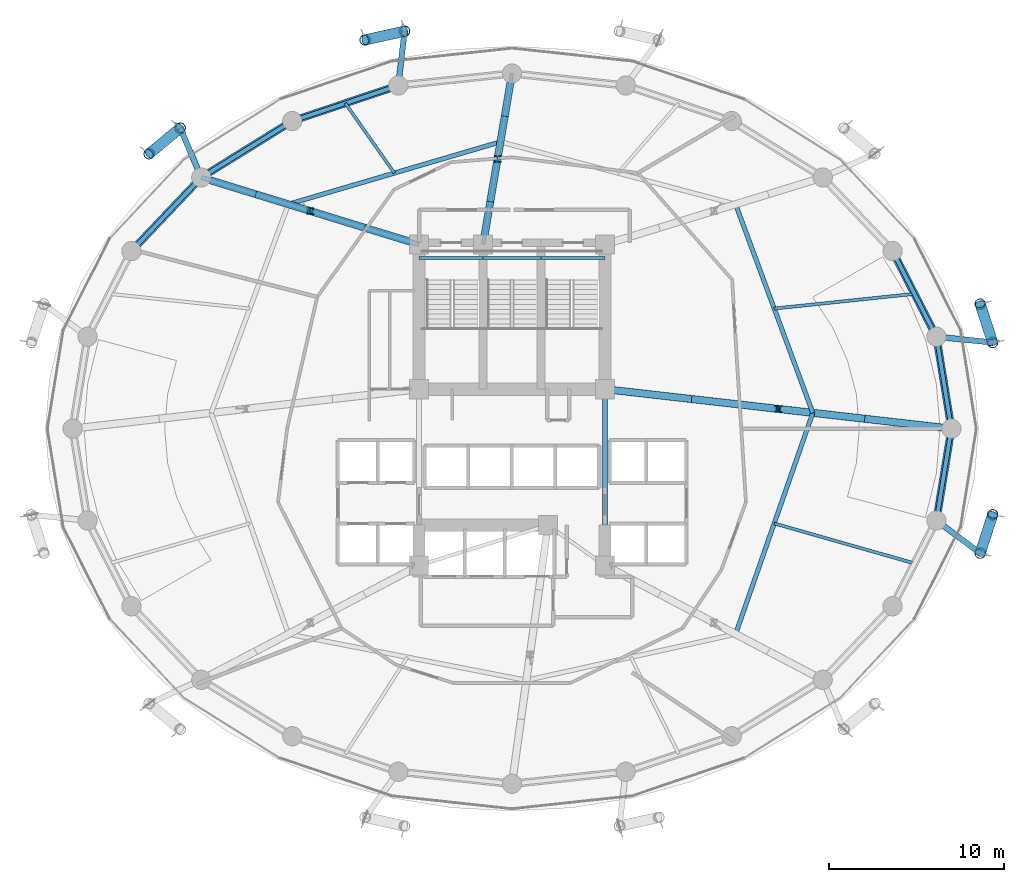
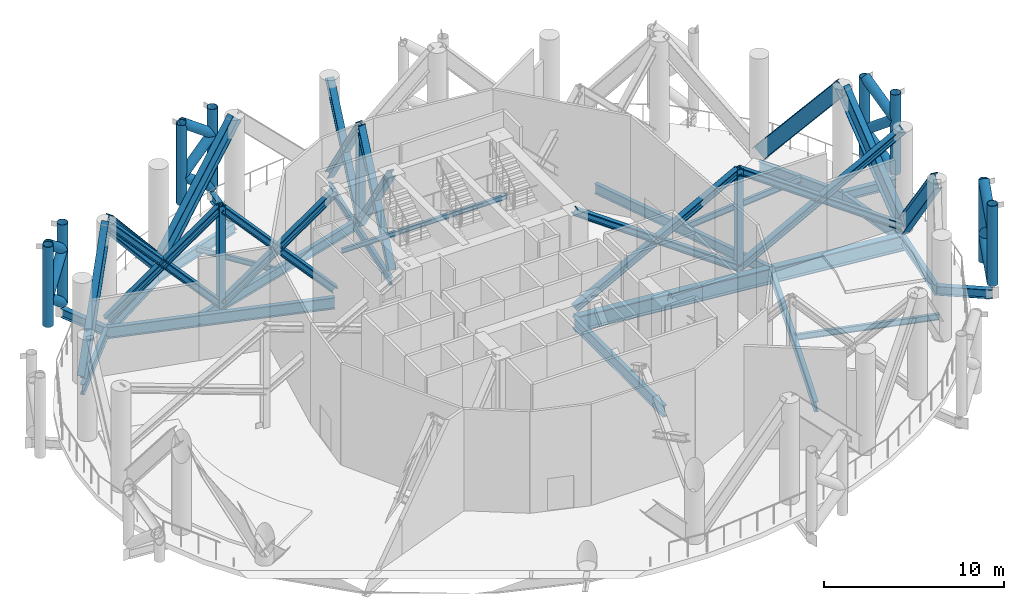
# One storey, part 3 of 19: 41 members, 23 beams.
"""IFC4 building model written with IfcOpenShell, lengths in metres."""

import ifcopenshell
import ifcopenshell.guid

model = None  # the IFC model being written
_history = None  # IfcOwnerHistory: only IFC2X3 demands one
_inside = {}  # id of a spatial element -> (the spatial element, [elements in it])
_under = {}  # id of a project, library or spatial element -> (it, [spatial elements below it])
_declared = {}  # id of a project -> (the project, [libraries it declares])
_typed = {}  # id of a type object -> (the type object, [elements of that type])
_made_of = {}  # id of a material, layer set ... -> (it, [elements and type objects made of it])


def new_model(schema):
    """Start an empty IFC model of exactly this schema.

    Asked for "IFC4X3", IfcOpenShell would pick the latest addendum, in which some entities
    have other attributes; the version numbers below select the first issue.
    IFC2X3 requires an IfcOwnerHistory on every rooted entity: one is made here for all.
    """
    global model, _history
    if schema == "IFC4X3":
        model = ifcopenshell.file(schema_version=(4, 3, 0, 0))
    else:
        model = ifcopenshell.file(schema=schema)
    _inside.clear()
    _under.clear()
    _declared.clear()
    _typed.clear()
    _made_of.clear()
    _history = None
    if model.schema == "IFC2X3":
        org = make("IfcOrganization", Name="unknown")
        user = make(
            "IfcPersonAndOrganization",
            ThePerson=make("IfcPerson", FamilyName="unknown"),
            TheOrganization=org,
        )
        app = make(
            "IfcApplication",
            ApplicationDeveloper=org,
            Version="unknown",
            ApplicationFullName="unknown",
            ApplicationIdentifier="unknown",
        )
        _history = make(
            "IfcOwnerHistory",
            OwningUser=user,
            OwningApplication=app,
            ChangeAction="ADDED",
            CreationDate=0,
        )
    return model


def make(cls, **values):
    """One entity of the class cls with the attributes given. An attribute that is None is left unset."""
    return model.create_entity(
        cls, **{name: value for name, value in values.items() if value is not None}
    )


def rooted(cls, **values):
    """An entity with a GlobalId (a new one), such as an element, a storey or a relation."""
    return make(cls, GlobalId=ifcopenshell.guid.new(), OwnerHistory=_history, **values)


def si_unit(unit_type, name, prefix=None):
    """IfcSIUnit, for example si_unit("LENGTHUNIT", "METRE", prefix="MILLI")."""
    return make("IfcSIUnit", UnitType=unit_type, Prefix=prefix, Name=name)


def assignment(units):
    """IfcUnitAssignment: the units of a project."""
    return None if units is None else make("IfcUnitAssignment", Units=units)


def point(xyz):
    """IfcCartesianPoint."""
    return None if xyz is None else make("IfcCartesianPoint", Coordinates=xyz)


def direction(xyz):
    """IfcDirection."""
    return None if xyz is None else make("IfcDirection", DirectionRatios=xyz)


def frame(location, z_axis=None, x_axis=None):
    """IfcAxis2Placement3D, a coordinate frame: its origin and axes. An axis left out is left unset."""
    return make(
        "IfcAxis2Placement3D",
        Location=point(location),
        Axis=direction(z_axis),
        RefDirection=direction(x_axis),
    )


def frame_2d(location, x_axis=None):
    """IfcAxis2Placement2D, a coordinate frame in the plane: its origin and x axis."""
    return make(
        "IfcAxis2Placement2D", Location=point(location), RefDirection=direction(x_axis)
    )


def origin():
    """The frame at (0, 0, 0) with its axes left unset."""
    return frame((0.0, 0.0, 0.0))


def origin_2d():
    """The frame at (0, 0) in the plane with its x axis left unset."""
    return frame_2d((0.0, 0.0))


def place(relative_to, where):
    """IfcLocalPlacement: puts the frame where relative to a parent placement (None: the world)."""
    return make(
        "IfcLocalPlacement", PlacementRelTo=relative_to, RelativePlacement=where
    )


def context(
    kind, dimensions, precision=None, world=None, true_north=None, identifier=None
):
    """IfcGeometricRepresentationContext, for example the 3D "Model" context."""
    return make(
        "IfcGeometricRepresentationContext",
        ContextIdentifier=identifier,
        ContextType=kind,
        CoordinateSpaceDimension=dimensions,
        Precision=precision,
        WorldCoordinateSystem=world,
        TrueNorth=true_north,
    )


def subcontext(parent, identifier, kind, view, scale=None):
    """IfcGeometricRepresentationSubContext, for example "Body" below "Model"."""
    return make(
        "IfcGeometricRepresentationSubContext",
        ContextIdentifier=identifier,
        ContextType=kind,
        ParentContext=parent,
        TargetScale=scale,
        TargetView=view,
    )


def project(units=None, contexts=None):
    """IfcProject with its units and contexts."""
    return rooted(
        "IfcProject",
        Name="project",
        RepresentationContexts=contexts,
        UnitsInContext=assignment(units),
    )


def spatial(cls, under=None, at=None, **own):
    """A site, building, storey or space (cls), placed at a placement, below another one or the project."""
    s = rooted(cls, ObjectPlacement=at, **own)
    if under is not None:
        _under.setdefault(under.id(), (under, []))[1].append(s)
    return s


def profile(cls, at=None, kind="AREA", **sizes):
    """A parametric profile (cls). Its sizes go by their IFC names, for example OverallWidth=200.0."""
    return make(cls, ProfileType=kind, Position=at, **sizes)


def hollow_circle(**sizes):
    """IfcCircleHollowProfileDef."""
    return profile("IfcCircleHollowProfileDef", **sizes)


def i_section(**sizes):
    """IfcIShapeProfileDef."""
    return profile("IfcIShapeProfileDef", **sizes)


def extrude(swept, where, along, depth):
    """IfcExtrudedAreaSolid: the profile swept, set in the frame where, extruded along a direction by depth."""
    return make(
        "IfcExtrudedAreaSolid",
        SweptArea=swept,
        Position=where,
        ExtrudedDirection=direction(along),
        Depth=depth,
    )


def shape(context_of_items, identifier, shape_type, items):
    """IfcShapeRepresentation: the items that make up one representation, for example the "Body"."""
    return make(
        "IfcShapeRepresentation",
        ContextOfItems=context_of_items,
        RepresentationIdentifier=identifier,
        RepresentationType=shape_type,
        Items=items,
    )


def material(Name=None, Category=None):
    """IfcMaterial."""
    return make("IfcMaterial", Name=Name, Category=Category)


def material_profile(
    of_material, cross_section, Name=None, Category=None, Priority=None
):
    """IfcMaterialProfile: a cross section and its material."""
    return make(
        "IfcMaterialProfile",
        Name=Name,
        Material=of_material,
        Profile=cross_section,
        Priority=Priority,
        Category=Category,
    )


def profile_set(profiles, Name=None, composite=None):
    """IfcMaterialProfileSet."""
    return make(
        "IfcMaterialProfileSet",
        Name=Name,
        MaterialProfiles=profiles,
        CompositeProfile=composite,
    )


def made_of(thing, what):
    """Note that an element or type object is made of a material, layer set ...; save() writes the relation."""
    if what is not None:
        _made_of.setdefault(what.id(), (what, []))[1].append(thing)
    return thing


def type_object(cls, material=None, **own):
    """A type object (cls), such as IfcWallType, which elements share."""
    return made_of(rooted(cls, **own), material)


def element(
    cls,
    number,
    at=None,
    inside=None,
    cuts=None,
    type_object=None,
    material=None,
    context=None,
    identifier="Body",
    shape_type=None,
    held_by="IfcProductDefinitionShape",
    body=None,
    shapes=None,
    **own,
):
    """One element of the class cls, such as IfcWall. Its Tag is "e" and its number.

    at: its placement. inside: the storey or other place that contains it. cuts: it is an
    opening in that element (IfcRelVoidsElement). A single representation is given by context,
    identifier, shape_type and body (its items); several are given by shapes. held_by: the class
    of the entity that holds the representations. save() writes the other relations.
    """
    e = rooted(cls, Tag="e%d" % number, ObjectPlacement=at, **own)
    if body is not None:
        shapes = [shape(context, identifier, shape_type, body)]
    if shapes is not None:
        e.Representation = make(held_by, Representations=shapes)
    if inside is not None:
        _inside.setdefault(inside.id(), (inside, []))[1].append(e)
    if cuts is not None:
        rooted(
            "IfcRelVoidsElement", RelatingBuildingElement=cuts, RelatedOpeningElement=e
        )
    if type_object is not None:
        _typed.setdefault(type_object.id(), (type_object, []))[1].append(e)
    return made_of(e, material)


def aggregate(whole, parts):
    """IfcRelAggregates: a whole, such as a stair, and the parts it consists of."""
    return rooted("IfcRelAggregates", RelatingObject=whole, RelatedObjects=parts)


def save(model, path):
    """Write the relations noted so far, then the file.

    IfcRelAggregates (storeys below a building ...), IfcRelContainedInSpatialStructure (elements
    in a storey), IfcRelDefinesByType, IfcRelAssociatesMaterial and IfcRelDeclares: one each for
    every whole, place, type object, material and project.
    """
    for whole, parts in _under.values():
        aggregate(whole, parts)
    for where, things in _inside.values():
        rooted(
            "IfcRelContainedInSpatialStructure",
            RelatedElements=things,
            RelatingStructure=where,
        )
    for kind, things in _typed.values():
        rooted("IfcRelDefinesByType", RelatedObjects=things, RelatingType=kind)
    for what, things in _made_of.values():
        rooted("IfcRelAssociatesMaterial", RelatedObjects=things, RelatingMaterial=what)
    for by, libraries in _declared.values():
        rooted("IfcRelDeclares", RelatingContext=by, RelatedDefinitions=libraries)
    model.write(path)


model = new_model("IFC4")

# Units and contexts
model_context = context("Model", 3, precision=1e-05, world=origin(), true_north=direction((0.0, 1.0)))
body_context = subcontext(model_context, "Body", "Model", "MODEL_VIEW")
ifc_project = project(units=[si_unit("LENGTHUNIT", "METRE"), si_unit("AREAUNIT", "SQUARE_METRE"), si_unit("VOLUMEUNIT", "CUBIC_METRE"), si_unit("PLANEANGLEUNIT", "RADIAN"), si_unit("MASSUNIT", "GRAM", prefix="KILO")], contexts=[model_context])

# Site, building, storey
site_placement = place(None, origin())
site = spatial("IfcSite", under=ifc_project, at=site_placement, CompositionType="ELEMENT")
building_placement = place(site_placement, origin())
building = spatial("IfcBuilding", under=site, at=building_placement, Name="Nuhasar Tower", CompositionType="ELEMENT")
storey_placement = place(building_placement, frame((0.0, 0.0, 106.050048828125)))
storey = spatial("IfcBuildingStorey", under=building, at=storey_placement, Name="L25", CompositionType="ELEMENT", Elevation=106.050048828125)

# Members
ifc_material_1 = material(Name="Steel S460", Category="steel")
ifc_material_profile_1 = material_profile(ifc_material_1, i_section(OverallWidth=0.419921875, OverallDepth=0.931884765625, WebThickness=0.021240234375, FlangeThickness=0.03662109375, at=origin_2d()), Name="W36X262")
ifc_profile_set_1 = profile_set([ifc_material_profile_1], Name="Steel S460")
member_type_1 = type_object("IfcMemberType", Name="BLT-DIAG-W36A", PredefinedType="CHORD", material=ifc_profile_set_1)
member_1_placement = place(storey_placement, frame((64.050048828125, 26.800048828125, 0.14990234375), z_axis=(-0.101000515372, 0.619833637362, 0.778206372301), x_axis=(-0.986982671235, -0.160826635486, 0.0)))
element("IfcMember", 1, at=member_1_placement, inside=storey, type_object=member_type_1, Name="L25 Belt Truss Diagonal 01", PredefinedType="CHORD", context=body_context, shape_type="SweptSolid", body=[
    extrude(i_section(OverallWidth=0.419921875, OverallDepth=0.931884765625, WebThickness=0.021240234375, FlangeThickness=0.03662109375, at=origin_2d()), origin(), (0.0, 0.0, 1.0), 8.455322265625),
])
member_2_placement = place(storey_placement, frame((60.694091796875, 36.925048828125, 0.14990234375), z_axis=(0.292010631919, -0.570030512444, 0.767981123289), x_axis=(0.890015625314, 0.455930023905, 0.0)))
element("IfcMember", 2, at=member_2_placement, inside=storey, type_object=member_type_1, Name="L25 Belt Truss Diagonal 02", PredefinedType="CHORD", context=body_context, shape_type="SweptSolid", body=[
    extrude(i_section(OverallWidth=0.419921875, OverallDepth=0.931884765625, WebThickness=0.021240234375, FlangeThickness=0.03662109375, at=origin_2d()), origin(), (0.0, 0.0, 1.0), 8.568115234375),
])
member_3_placement = place(storey_placement, frame((26.47509765625, 44.3369140625, 0.14990234375), z_axis=(0.659642263156, 0.220884735525, 0.718388487012), x_axis=(-0.317526388949, 0.948249435708, 0.0)))
element("IfcMember", 3, at=member_3_placement, inside=storey, type_object=member_type_1, Name="L25 Belt Truss Diagonal 08", PredefinedType="CHORD", context=body_context, shape_type="SweptSolid", body=[
    extrude(i_section(OverallWidth=0.419921875, OverallDepth=0.931884765625, WebThickness=0.021240234375, FlangeThickness=0.03662109375, at=origin_2d()), origin(), (0.0, 0.0, 1.0), 9.159423828125),
])
member_4_placement = place(storey_placement, frame((26.47509765625, 44.3369140625, 0.14990234375), z_axis=(-0.5779854684, -0.358514186305, 0.733075969144), x_axis=(0.527112976439, -0.849795216549, 0.0)))
element("IfcMember", 4, at=member_4_placement, inside=storey, type_object=member_type_1, Name="L25 Belt Truss Diagonal 09", PredefinedType="CHORD", context=body_context, shape_type="SweptSolid", body=[
    extrude(i_section(OverallWidth=0.419921875, OverallDepth=0.931884765625, WebThickness=0.021240234375, FlangeThickness=0.03662109375, at=origin_2d()), origin(), (0.0, 0.0, 1.0), 8.97607421875),
])
member_5_placement = place(storey_placement, frame((17.305908203125, 36.925048828125, 0.14990234375), z_axis=(0.454480500757, 0.478755506347, 0.751159530043), x_axis=(-0.725254478976, 0.688480893507, 0.0)))
element("IfcMember", 5, at=member_5_placement, inside=storey, type_object=member_type_1, Name="L25 Belt Truss Diagonal 10", PredefinedType="CHORD", context=body_context, shape_type="SweptSolid", body=[
    extrude(i_section(OverallWidth=0.419921875, OverallDepth=0.931884765625, WebThickness=0.021240234375, FlangeThickness=0.03662109375, at=origin_2d()), origin(), (0.0, 0.0, 1.0), 8.760009765625),
])
member_6_placement = place(storey_placement, frame((64.050048828125, 26.800048828125, 0.14990234375), z_axis=(-0.101000515372, -0.619833637362, 0.778206372301), x_axis=(0.986982671235, -0.160826635486, 0.0)))
element("IfcMember", 6, at=member_6_placement, inside=storey, type_object=member_type_1, Name="L25 Belt Truss Diagonal 24", PredefinedType="CHORD", context=body_context, shape_type="SweptSolid", body=[
    extrude(i_section(OverallWidth=0.419921875, OverallDepth=0.931884765625, WebThickness=0.021240234375, FlangeThickness=0.03662109375, at=origin_2d()), origin(), (0.0, 0.0, 1.0), 8.455322265625),
])

# Beams
ifc_material_2 = material(Name="Steel S355", Category="steel")
ifc_material_profile_2 = material_profile(ifc_material_2, i_section(OverallWidth=0.25390625, OverallDepth=0.68408203125, WebThickness=0.012451171875, FlangeThickness=0.018798828125, at=origin_2d()), Name="W27X94")
ifc_profile_set_2 = profile_set([ifc_material_profile_2], Name="Steel S355")
beam_type_1 = type_object("IfcBeamType", Name="BM-INRING-W27X94", PredefinedType="BEAM", material=ifc_profile_set_2)
beam_1_placement = place(storey_placement, frame((51.748046875, 15.089111328125, -0.692138671875), z_axis=(0.329554049858, 0.944136710558, 0.0), x_axis=(-0.944136710558, 0.329554049858, 0.0)))
element("IfcBeam", 7, at=beam_1_placement, inside=storey, type_object=beam_type_1, Name="L25 Inner Header Beam 03", PredefinedType="BEAM", context=body_context, shape_type="SweptSolid", body=[
    extrude(i_section(OverallWidth=0.25390625, OverallDepth=0.68408203125, WebThickness=0.012451171875, FlangeThickness=0.018798828125, at=origin_2d()), origin(), (0.0, 0.0, 1.0), 13.35693359375),
])
beam_2_placement = place(storey_placement, frame((56.14990234375, 27.699951171875, -0.692138671875), z_axis=(-0.34715757476, 0.937806812881, 0.0), x_axis=(-0.937806812881, -0.34715757476, 0.0)))
element("IfcBeam", 8, at=beam_2_placement, inside=storey, type_object=beam_type_1, Name="L25 Inner Header Beam 04", PredefinedType="BEAM", context=body_context, shape_type="SweptSolid", body=[
    extrude(i_section(OverallWidth=0.25390625, OverallDepth=0.68408203125, WebThickness=0.012451171875, FlangeThickness=0.018798828125, at=origin_2d()), origin(), (0.0, 0.0, 1.0), 12.6796875),
])
beam_3_placement = place(storey_placement, frame((38.340087890625, 43.14990234375, -0.692138671875), z_axis=(-0.959290190666, -0.28242225495, 0.0), x_axis=(0.28242225495, -0.959290190666, 0.0)))
element("IfcBeam", 9, at=beam_3_placement, inside=storey, type_object=beam_type_1, Name="L25 Inner Header Beam 06", PredefinedType="BEAM", context=body_context, shape_type="SweptSolid", body=[
    extrude(i_section(OverallWidth=0.25390625, OverallDepth=0.68408203125, WebThickness=0.012451171875, FlangeThickness=0.018798828125, at=origin_2d()), origin(), (0.0, 0.0, 1.0), 12.60107421875),
])
ifc_material_profile_3 = material_profile(ifc_material_2, i_section(OverallWidth=0.1708984375, OverallDepth=0.35205078125, WebThickness=0.0068359375, FlangeThickness=0.009765625, at=origin_2d()), Name="W14X30")
ifc_profile_set_3 = profile_set([ifc_material_profile_3], Name="Steel S355")
beam_type_2 = type_object("IfcBeamType", Name="BM-JST-W14X30", PredefinedType="JOIST", material=ifc_profile_set_3)
beam_4_placement = place(storey_placement, frame((32.2958984375, 41.3701171875, -0.526123046875), z_axis=(-0.575461088141, 0.817829160666, 0.0), x_axis=(-0.817829160666, -0.575461088141, 0.0)))
element("IfcBeam", 10, at=beam_4_placement, inside=storey, type_object=beam_type_2, Name="L25 Secondary Floor Joist 06", PredefinedType="JOIST", context=body_context, shape_type="SweptSolid", body=[
    extrude(i_section(OverallWidth=0.1708984375, OverallDepth=0.35205078125, WebThickness=0.0068359375, FlangeThickness=0.009765625, at=origin_2d()), origin(), (0.0, 0.0, 1.0), 4.865234375),
])
ifc_material_profile_4 = material_profile(ifc_material_2, i_section(OverallWidth=0.177978515625, OverallDepth=0.406005859375, WebThickness=0.0078125, FlangeThickness=0.0126953125, at=origin_2d()), Name="W16X40")
ifc_profile_set_4 = profile_set([ifc_material_profile_4], Name="Steel S355")
beam_type_3 = type_object("IfcBeamType", Name="BM-JST-W16X40", PredefinedType="JOIST", material=ifc_profile_set_4)
beam_5_placement = place(storey_placement, frame((53.948974609375, 21.39501953125, -0.552978515625), z_axis=(0.961730884496, -0.273995813484, 0.0), x_axis=(0.273995813484, 0.961730884496, 0.0)))
element("IfcBeam", 11, at=beam_5_placement, inside=storey, type_object=beam_type_3, Name="L25 Secondary Floor Joist 03", PredefinedType="JOIST", context=body_context, shape_type="SweptSolid", body=[
    extrude(i_section(OverallWidth=0.177978515625, OverallDepth=0.406005859375, WebThickness=0.0078125, FlangeThickness=0.0126953125, at=origin_2d()), origin(), (0.0, 0.0, 1.0), 8.314208984375),
])
beam_6_placement = place(storey_placement, frame((53.948974609375, 33.64501953125, -0.552978515625), z_axis=(0.994554594377, 0.104216883485, 0.0), x_axis=(-0.104216883485, 0.994554594377, 0.0)))
element("IfcBeam", 12, at=beam_6_placement, inside=storey, type_object=beam_type_3, Name="L25 Secondary Floor Joist 04", PredefinedType="JOIST", context=body_context, shape_type="SweptSolid", body=[
    extrude(i_section(OverallWidth=0.177978515625, OverallDepth=0.406005859375, WebThickness=0.0078125, FlangeThickness=0.0126953125, at=origin_2d()), origin(), (0.0, 0.0, 1.0), 8.039794921875),
])
ifc_material_profile_5 = material_profile(ifc_material_2, i_section(OverallWidth=0.1650390625, OverallDepth=0.31005859375, WebThickness=0.005859375, FlangeThickness=0.009765625, at=origin_2d()), Name="W12X26")
ifc_profile_set_5 = profile_set([ifc_material_profile_5], Name="Steel S355")
beam_type_4 = type_object("IfcBeamType", Name="BM-LNT-W12X26", PredefinedType="LINTEL", material=ifc_profile_set_5)
beam_7_placement = place(storey_placement, frame((33.699951171875, 36.530029296875, 3.204833984375), z_axis=(1.0, 0.0, 0.0), x_axis=(0.0, 1.0, 0.0)))
element("IfcBeam", 13, at=beam_7_placement, inside=storey, type_object=beam_type_4, Name="L25 Stair ST-01 Mid-Landing Trimmer Beam 1", PredefinedType="LINTEL", context=body_context, shape_type="SweptSolid", body=[
    extrude(i_section(OverallWidth=0.1650390625, OverallDepth=0.31005859375, WebThickness=0.005859375, FlangeThickness=0.009765625, at=origin_2d()), origin(), (0.0, 0.0, 1.0), 3.650146484375),
])
beam_8_placement = place(storey_placement, frame((37.35009765625, 36.530029296875, 3.204833984375), z_axis=(1.0, 0.0, 0.0), x_axis=(0.0, 1.0, 0.0)))
element("IfcBeam", 14, at=beam_8_placement, inside=storey, type_object=beam_type_4, Name="L25 Stair ST-03 Mid-Landing Trimmer Beam 1", PredefinedType="LINTEL", context=body_context, shape_type="SweptSolid", body=[
    extrude(i_section(OverallWidth=0.1650390625, OverallDepth=0.31005859375, WebThickness=0.005859375, FlangeThickness=0.009765625, at=origin_2d()), origin(), (0.0, 0.0, 1.0), 3.2998046875),
])
beam_9_placement = place(storey_placement, frame((40.64990234375, 36.530029296875, 3.204833984375), z_axis=(1.0, 0.0, 0.0), x_axis=(0.0, 1.0, 0.0)))
element("IfcBeam", 15, at=beam_9_placement, inside=storey, type_object=beam_type_4, Name="L25 Stair ST-02 Mid-Landing Trimmer Beam 1", PredefinedType="LINTEL", context=body_context, shape_type="SweptSolid", body=[
    extrude(i_section(OverallWidth=0.1650390625, OverallDepth=0.31005859375, WebThickness=0.005859375, FlangeThickness=0.009765625, at=origin_2d()), origin(), (0.0, 0.0, 1.0), 3.650146484375),
])
ifc_material_profile_6 = material_profile(ifc_material_2, i_section(OverallWidth=0.208984375, OverallDepth=0.532958984375, WebThickness=0.01025390625, FlangeThickness=0.015625, at=origin_2d()), Name="W21X62")
ifc_profile_set_6 = profile_set([ifc_material_profile_6], Name="Steel S355")
beam_type_5 = type_object("IfcBeamType", Name="BM-RAD-W21X62", PredefinedType="BEAM", material=ifc_profile_set_6)
beam_10_placement = place(storey_placement, frame((37.35009765625, 37.300048828125, -0.615966796875), z_axis=(0.166848703013, 0.98598251014, 0.0), x_axis=(-0.98598251014, 0.166848703013, 0.0)))
element("IfcBeam", 16, at=beam_10_placement, inside=storey, type_object=beam_type_5, Name="L25 Radial Floor Girder 06", PredefinedType="BEAM", context=body_context, shape_type="SweptSolid", body=[
    extrude(i_section(OverallWidth=0.208984375, OverallDepth=0.532958984375, WebThickness=0.01025390625, FlangeThickness=0.015625, at=origin_2d()), origin(), (0.0, 0.0, 1.0), 9.888671875),
])
ifc_material_profile_7 = material_profile(ifc_material_2, i_section(OverallWidth=0.26611328125, OverallDepth=0.779052734375, WebThickness=0.0166015625, FlangeThickness=0.030029296875, at=origin_2d()), Name="W30X148")
ifc_profile_set_7 = profile_set([ifc_material_profile_7], Name="Steel S355")
beam_type_6 = type_object("IfcBeamType", Name="BM-RAD-W30X148", PredefinedType="BEAM", material=ifc_profile_set_7)
beam_11_placement = place(storey_placement, frame((44.300048828125, 19.0, -0.739013671875), z_axis=(0.0, 1.0, 0.0), x_axis=(-1.0, 0.0, 0.0)))
element("IfcBeam", 17, at=beam_11_placement, inside=storey, type_object=beam_type_6, Name="L25 Core Ring Girder 3", PredefinedType="BEAM", context=body_context, shape_type="SweptSolid", body=[
    extrude(i_section(OverallWidth=0.26611328125, OverallDepth=0.779052734375, WebThickness=0.0166015625, FlangeThickness=0.030029296875, at=origin_2d()), origin(), (0.0, 0.0, 1.0), 10.050048828125),
])
beam_12_placement = place(storey_placement, frame((33.699951171875, 37.300048828125, -0.739013671875), z_axis=(-0.955789576103, 0.294051502653, 0.0), x_axis=(-0.294051502653, -0.955789576103, 0.0)))
element("IfcBeam", 18, at=beam_12_placement, inside=storey, type_object=beam_type_6, Name="L25 Radial Floor Girder 07", PredefinedType="BEAM", context=body_context, shape_type="SweptSolid", body=[
    extrude(i_section(OverallWidth=0.26611328125, OverallDepth=0.779052734375, WebThickness=0.0166015625, FlangeThickness=0.030029296875, at=origin_2d()), origin(), (0.0, 0.0, 1.0), 12.987060546875),
])
ifc_material_profile_8 = material_profile(ifc_material_2, i_section(OverallWidth=0.256103515625, OverallDepth=0.693115234375, WebThickness=0.014404296875, FlangeThickness=0.023681640625, at=origin_2d()), Name="W27X114")
ifc_profile_set_8 = profile_set([ifc_material_profile_8], Name="Steel S355")
beam_type_7 = type_object("IfcBeamType", Name="BM-RING-W27X114", PredefinedType="SPANDREL", material=ifc_profile_set_8)
beam_13_placement = place(storey_placement, frame((64.050048828125, 26.800048828125, -0.697021484375), z_axis=(-0.160826635486, 0.986982671235, 0.0), x_axis=(-0.986982671235, -0.160826635486, 0.0)))
element("IfcBeam", 19, at=beam_13_placement, inside=storey, type_object=beam_type_7, Name="L25 Perimeter Ring Spandrel 01", PredefinedType="SPANDREL", context=body_context, shape_type="SweptSolid", body=[
    extrude(i_section(OverallWidth=0.256103515625, OverallDepth=0.693115234375, WebThickness=0.014404296875, FlangeThickness=0.023681640625, at=origin_2d()), origin(), (0.0, 0.0, 1.0), 5.31005859375),
])
beam_14_placement = place(storey_placement, frame((63.196044921875, 32.041015625, -0.697021484375), z_axis=(-0.455930023905, 0.890015625314, 0.0), x_axis=(-0.890015625314, -0.455930023905, 0.0)))
element("IfcBeam", 20, at=beam_14_placement, inside=storey, type_object=beam_type_7, Name="L25 Perimeter Ring Spandrel 02", PredefinedType="SPANDREL", context=body_context, shape_type="SweptSolid", body=[
    extrude(i_section(OverallWidth=0.256103515625, OverallDepth=0.693115234375, WebThickness=0.014404296875, FlangeThickness=0.023681640625, at=origin_2d()), origin(), (0.0, 0.0, 1.0), 5.487548828125),
])
beam_15_placement = place(storey_placement, frame((32.51708984375, 46.360107421875, -0.697021484375), z_axis=(-0.948249435708, -0.317526388949, 0.0), x_axis=(0.317526388949, -0.948249435708, 0.0)))
element("IfcBeam", 21, at=beam_15_placement, inside=storey, type_object=beam_type_7, Name="L25 Perimeter Ring Spandrel 08", PredefinedType="SPANDREL", context=body_context, shape_type="SweptSolid", body=[
    extrude(i_section(OverallWidth=0.256103515625, OverallDepth=0.693115234375, WebThickness=0.014404296875, FlangeThickness=0.023681640625, at=origin_2d()), origin(), (0.0, 0.0, 1.0), 6.371826171875),
])
beam_16_placement = place(storey_placement, frame((26.47509765625, 44.3369140625, -0.697021484375), z_axis=(-0.849795216549, -0.527112976439, 0.0), x_axis=(0.527112976439, -0.849795216549, 0.0)))
element("IfcBeam", 22, at=beam_16_placement, inside=storey, type_object=beam_type_7, Name="L25 Perimeter Ring Spandrel 09", PredefinedType="SPANDREL", context=body_context, shape_type="SweptSolid", body=[
    extrude(i_section(OverallWidth=0.256103515625, OverallDepth=0.693115234375, WebThickness=0.014404296875, FlangeThickness=0.023681640625, at=origin_2d()), origin(), (0.0, 0.0, 1.0), 6.10498046875),
])
beam_17_placement = place(storey_placement, frame((21.287109375, 41.118896484375, -0.697021484375), z_axis=(-0.688480893507, -0.725254478976, 0.0), x_axis=(0.725254478976, -0.688480893507, 0.0)))
element("IfcBeam", 23, at=beam_17_placement, inside=storey, type_object=beam_type_7, Name="L25 Perimeter Ring Spandrel 10", PredefinedType="SPANDREL", context=body_context, shape_type="SweptSolid", body=[
    extrude(i_section(OverallWidth=0.256103515625, OverallDepth=0.693115234375, WebThickness=0.014404296875, FlangeThickness=0.023681640625, at=origin_2d()), origin(), (0.0, 0.0, 1.0), 5.782470703125),
])
beam_18_placement = place(storey_placement, frame((63.196044921875, 21.55908203125, -0.697021484375), z_axis=(0.160826635486, 0.986982671235, 0.0), x_axis=(-0.986982671235, 0.160826635486, 0.0)))
element("IfcBeam", 24, at=beam_18_placement, inside=storey, type_object=beam_type_7, Name="L25 Perimeter Ring Spandrel 24", PredefinedType="SPANDREL", context=body_context, shape_type="SweptSolid", body=[
    extrude(i_section(OverallWidth=0.256103515625, OverallDepth=0.693115234375, WebThickness=0.014404296875, FlangeThickness=0.023681640625, at=origin_2d()), origin(), (0.0, 0.0, 1.0), 5.31005859375),
])
ifc_material_profile_9 = material_profile(ifc_material_2, i_section(OverallWidth=0.323974609375, OverallDepth=0.611083984375, WebThickness=0.0126953125, FlangeThickness=0.01904296875, at=origin_2d()), Name="W24X104")
ifc_profile_set_9 = profile_set([ifc_material_profile_9], Name="Steel S355")
beam_type_8 = type_object("IfcBeamType", Name="BM-TIE-W24X104", PredefinedType="BEAM", material=ifc_profile_set_9)
beam_19_placement = place(storey_placement, frame((63.196044921875, 32.041015625, -0.655029296875), z_axis=(0.994703825606, -0.102782777377, 0.0), x_axis=(0.102782777377, 0.994703825606, 0.0)))
element("IfcBeam", 25, at=beam_19_placement, inside=storey, type_object=beam_type_8, Name="L25 Exoskeleton Node Tie Beam 01", PredefinedType="BEAM", context=body_context, shape_type="SweptSolid", body=[
    extrude(i_section(OverallWidth=0.323974609375, OverallDepth=0.611083984375, WebThickness=0.0126953125, FlangeThickness=0.01904296875, at=origin_2d()), origin(), (0.0, 0.0, 1.0), 3.220947265625),
])
beam_20_placement = place(storey_placement, frame((32.51708984375, 46.360107421875, -0.655029296875), z_axis=(0.115042934281, 0.993360520291, 0.0), x_axis=(-0.993360520291, 0.115042934281, 0.0)))
element("IfcBeam", 26, at=beam_20_placement, inside=storey, type_object=beam_type_8, Name="L25 Exoskeleton Node Tie Beam 04", PredefinedType="BEAM", context=body_context, shape_type="SweptSolid", body=[
    extrude(i_section(OverallWidth=0.323974609375, OverallDepth=0.611083984375, WebThickness=0.0126953125, FlangeThickness=0.01904296875, at=origin_2d()), origin(), (0.0, 0.0, 1.0), 3.11962890625),
])
beam_21_placement = place(storey_placement, frame((21.287109375, 41.118896484375, -0.655029296875), z_axis=(-0.391601084021, 0.920135093882, 0.0), x_axis=(-0.920135093882, -0.391601084021, 0.0)))
element("IfcBeam", 27, at=beam_21_placement, inside=storey, type_object=beam_type_8, Name="L25 Exoskeleton Node Tie Beam 05", PredefinedType="BEAM", context=body_context, shape_type="SweptSolid", body=[
    extrude(i_section(OverallWidth=0.323974609375, OverallDepth=0.611083984375, WebThickness=0.0126953125, FlangeThickness=0.01904296875, at=origin_2d()), origin(), (0.0, 0.0, 1.0), 3.06494140625),
])
beam_22_placement = place(storey_placement, frame((63.196044921875, 21.55908203125, -0.655029296875), z_axis=(0.802113478067, -0.597171640572, 0.0), x_axis=(0.597171640572, 0.802113478067, 0.0)))
element("IfcBeam", 28, at=beam_22_placement, inside=storey, type_object=beam_type_8, Name="L25 Exoskeleton Node Tie Beam 12", PredefinedType="BEAM", context=body_context, shape_type="SweptSolid", body=[
    extrude(i_section(OverallWidth=0.323974609375, OverallDepth=0.611083984375, WebThickness=0.0126953125, FlangeThickness=0.01904296875, at=origin_2d()), origin(), (0.0, 0.0, 1.0), 3.111572265625),
])
ifc_material_profile_10 = material_profile(ifc_material_1, i_section(OverallWidth=0.419921875, OverallDepth=1.0400390625, WebThickness=0.031005859375, FlangeThickness=0.055908203125, at=origin_2d()), Name="W40X397")
ifc_profile_set_10 = profile_set([ifc_material_profile_10], Name="Steel S460")
beam_type_9 = type_object("IfcBeamType", Name="BM-XFER-W40X397", PredefinedType="USERDEFINED", material=ifc_profile_set_10)
beam_23_placement = place(storey_placement, frame((44.300048828125, 29.050048828125, -0.8701171875), z_axis=(0.993573147212, -0.113191877531, 0.0), x_axis=(0.113191877531, 0.993573147212, 0.0)))
element("IfcBeam", 29, at=beam_23_placement, inside=storey, type_object=beam_type_9, Name="L25 Radial Floor Girder 04", ObjectType="GIRDER", PredefinedType="USERDEFINED", context=body_context, shape_type="SweptSolid", body=[
    extrude(i_section(OverallWidth=0.419921875, OverallDepth=1.0400390625, WebThickness=0.031005859375, FlangeThickness=0.055908203125, at=origin_2d()), origin(), (0.0, 0.0, 1.0), 19.877685546875),
])

# Members
ifc_material_profile_11 = material_profile(ifc_material_1, hollow_circle(Radius=0.304931640625, WallThickness=0.025390625, at=origin_2d()), Name="HSS610X25.4")
ifc_profile_set_11 = profile_set([ifc_material_profile_11], Name="Steel S460")
member_type_2 = type_object("IfcMemberType", Name="EXO-BRONZE-610", PredefinedType="BRACE", material=ifc_profile_set_11)
for number, where, z_axis, x_axis, name in (
    (30, (66.39990234375, 31.7099609375, 0.0), (0.0, 0.0, 1.0), (1.0, 0.0, 0.0), "L25 Exoskeleton Chord Column EC-01A"),
    (31, (65.69189453125, 33.89892578125, 0.0), (0.0, 0.0, 1.0), (1.0, 0.0, 0.0), "L25 Exoskeleton Chord Column EC-01B"),
    (32, (32.8759765625, 49.458984375, 0.0), (0.0, 0.0, 1.0), (1.0, 0.0, 0.0), "L25 Exoskeleton Chord Column EC-04A"),
    (33, (30.6298828125, 48.9599609375, 0.0), (0.0, 0.0, 1.0), (1.0, 0.0, 0.0), "L25 Exoskeleton Chord Column EC-04B"),
    (34, (20.0869140625, 43.93896484375, 0.0), (0.0, 0.0, 1.0), (1.0, 0.0, 0.0), "L25 Exoskeleton Chord Column EC-05A"),
    (35, (18.31494140625, 42.470947265625, 0.0), (0.0, 0.0, 1.0), (1.0, 0.0, 0.0), "L25 Exoskeleton Chord Column EC-05B"),
    (36, (65.69189453125, 19.700927734375, 0.0), (0.0, 0.0, 1.0), (1.0, 0.0, 0.0), "L25 Exoskeleton Chord Column EC-12A"),
    (37, (66.39990234375, 21.889892578125, 0.0), (0.0, 0.0, 1.0), (1.0, 0.0, 0.0), "L25 Exoskeleton Chord Column EC-12B"),
):
    element("IfcMember", number, at=place(storey_placement, frame(where, z_axis=z_axis, x_axis=x_axis)), inside=storey, type_object=member_type_2, Name=name, PredefinedType="BRACE", context=body_context, shape_type="SweptSolid", body=[
        extrude(hollow_circle(Radius=0.304931640625, WallThickness=0.025390625, at=origin_2d()), origin(), (0.0, 0.0, 1.0), 5.429931640625),
    ])
for number, where, z_axis, x_axis, name in (
    (38, (66.39990234375, 31.7099609375, 0.0), (-0.24186279614, 0.747773044894, 0.618334748477), (-0.951468282519, -0.307746823478, 0.0), "L25 Bronze Diagrid Brace W1-01"),
    (39, (65.69189453125, 33.89892578125, 1.81005859375), (0.241875269059, -0.747811607718, 0.618283230874), (0.951468282519, 0.307746823478, 0.0), "L25 Bronze Diagrid Brace W2-01"),
    (40, (66.39990234375, 31.7099609375, 3.619873046875), (-0.24186279614, 0.747773044894, 0.618334748477), (-0.951468282519, -0.307746823478, 0.0), "L25 Bronze Diagrid Brace W3-01"),
):
    element("IfcMember", number, at=place(storey_placement, frame(where, z_axis=z_axis, x_axis=x_axis)), inside=storey, type_object=member_type_2, Name=name, PredefinedType="BRACE", context=body_context, shape_type="SweptSolid", body=[
        extrude(hollow_circle(Radius=0.304931640625, WallThickness=0.025390625, at=origin_2d()), origin(), (0.0, 0.0, 1.0), 2.92724609375),
    ])
member_7_placement = place(storey_placement, frame((32.8759765625, 49.458984375, 0.0), z_axis=(-0.76723876055, -0.17046043767, 0.618294366382), x_axis=(0.216885517571, -0.97619704582, 0.0)))
element("IfcMember", 41, at=member_7_placement, inside=storey, type_object=member_type_2, Name="L25 Bronze Diagrid Brace W1-04", PredefinedType="BRACE", context=body_context, shape_type="SweptSolid", body=[
    extrude(hollow_circle(Radius=0.304931640625, WallThickness=0.025390625, at=origin_2d()), origin(), (0.0, 0.0, 1.0), 2.927490234375),
])
member_8_placement = place(storey_placement, frame((30.6298828125, 48.9599609375, 1.81005859375), z_axis=(0.767278322057, 0.170469227205, 0.618242847979), x_axis=(-0.216885517571, 0.97619704582, 0.0)))
element("IfcMember", 42, at=member_8_placement, inside=storey, type_object=member_type_2, Name="L25 Bronze Diagrid Brace W2-04", PredefinedType="BRACE", context=body_context, shape_type="SweptSolid", body=[
    extrude(hollow_circle(Radius=0.304931640625, WallThickness=0.025390625, at=origin_2d()), origin(), (0.0, 0.0, 1.0), 2.92724609375),
])
member_9_placement = place(storey_placement, frame((32.8759765625, 49.458984375, 3.619873046875), z_axis=(-0.76723876055, -0.17046043767, 0.618294366382), x_axis=(0.216885517571, -0.97619704582, 0.0)))
element("IfcMember", 43, at=member_9_placement, inside=storey, type_object=member_type_2, Name="L25 Bronze Diagrid Brace W3-04", PredefinedType="BRACE", context=body_context, shape_type="SweptSolid", body=[
    extrude(hollow_circle(Radius=0.304931640625, WallThickness=0.025390625, at=origin_2d()), origin(), (0.0, 0.0, 1.0), 2.927490234375),
])
member_10_placement = place(storey_placement, frame((20.0869140625, 43.93896484375, 0.0), z_axis=(-0.605249314085, -0.501427958886, 0.618258254977), x_axis=(0.637969333506, -0.770061769929, 0.0)))
element("IfcMember", 44, at=member_10_placement, inside=storey, type_object=member_type_2, Name="L25 Bronze Diagrid Brace W1-05", PredefinedType="BRACE", context=body_context, shape_type="SweptSolid", body=[
    extrude(hollow_circle(Radius=0.304931640625, WallThickness=0.025390625, at=origin_2d()), origin(), (0.0, 0.0, 1.0), 2.927734375),
])
member_11_placement = place(storey_placement, frame((18.31494140625, 42.470947265625, 1.81005859375), z_axis=(0.605280519206, 0.50145381124, 0.61820673586), x_axis=(-0.637969333506, 0.770061769929, 0.0)))
element("IfcMember", 45, at=member_11_placement, inside=storey, type_object=member_type_2, Name="L25 Bronze Diagrid Brace W2-05", PredefinedType="BRACE", context=body_context, shape_type="SweptSolid", body=[
    extrude(hollow_circle(Radius=0.304931640625, WallThickness=0.025390625, at=origin_2d()), origin(), (0.0, 0.0, 1.0), 2.927490234375),
])
member_12_placement = place(storey_placement, frame((20.0869140625, 43.93896484375, 3.619873046875), z_axis=(-0.605249314085, -0.501427958886, 0.618258254977), x_axis=(0.637969333506, -0.770061769929, 0.0)))
element("IfcMember", 46, at=member_12_placement, inside=storey, type_object=member_type_2, Name="L25 Bronze Diagrid Brace W3-05", PredefinedType="BRACE", context=body_context, shape_type="SweptSolid", body=[
    extrude(hollow_circle(Radius=0.304931640625, WallThickness=0.025390625, at=origin_2d()), origin(), (0.0, 0.0, 1.0), 2.927734375),
])
for number, where, z_axis, x_axis, name in (
    (47, (65.69189453125, 19.700927734375, 0.0), (0.24186279614, 0.747773044894, 0.618334748477), (-0.951468282519, 0.307746823478, 0.0), "L25 Bronze Diagrid Brace W1-12"),
    (48, (66.39990234375, 21.889892578125, 1.81005859375), (-0.241875269059, -0.747811607718, 0.618283230874), (0.951468282519, -0.307746823478, 0.0), "L25 Bronze Diagrid Brace W2-12"),
    (49, (65.69189453125, 19.700927734375, 3.619873046875), (0.24186279614, 0.747773044894, 0.618334748477), (-0.951468282519, 0.307746823478, 0.0), "L25 Bronze Diagrid Brace W3-12"),
):
    element("IfcMember", number, at=place(storey_placement, frame(where, z_axis=z_axis, x_axis=x_axis)), inside=storey, type_object=member_type_2, Name=name, PredefinedType="BRACE", context=body_context, shape_type="SweptSolid", body=[
        extrude(hollow_circle(Radius=0.304931640625, WallThickness=0.025390625, at=origin_2d()), origin(), (0.0, 0.0, 1.0), 2.92724609375),
    ])
ifc_material_profile_12 = material_profile(ifc_material_1, i_section(OverallWidth=0.39892578125, OverallDepth=0.385986328125, WebThickness=0.02099609375, FlangeThickness=0.033203125, at=origin_2d()), Name="W14X176")
ifc_profile_set_12 = profile_set([ifc_material_profile_12], Name="Steel S460")
member_type_3 = type_object("IfcMemberType", Name="OUT-CHRD-W14C", PredefinedType="CHORD", material=ifc_profile_set_12)
for number, where, z_axis, x_axis, name in (
    (50, (54.175048828125, 27.925048828125, 0.0), (0.0, 0.0, 1.0), (1.0, 0.0, 0.0), "L25 Outrigger Truss Post 04"),
    (51, (38.175048828125, 42.175048828125, 0.0), (0.0, 0.0, 1.0), (1.0, 0.0, 0.0), "L25 Outrigger Truss Post 06"),
    (52, (27.493896484375, 39.208984375, 0.0), (0.0, 0.0, 1.0), (1.0, 0.0, 0.0), "L25 Outrigger Truss Post 07"),
):
    element("IfcMember", number, at=place(storey_placement, frame(where, z_axis=z_axis, x_axis=x_axis)), inside=storey, type_object=member_type_3, Name=name, PredefinedType="CHORD", context=body_context, shape_type="SweptSolid", body=[
        extrude(i_section(OverallWidth=0.39892578125, OverallDepth=0.385986328125, WebThickness=0.02099609375, FlangeThickness=0.033203125, at=origin_2d()), origin(), (0.0, 0.0, 1.0), 6.8798828125),
    ])
ifc_material_profile_13 = material_profile(ifc_material_1, i_section(OverallWidth=0.412109375, OverallDepth=0.43408203125, WebThickness=0.035888671875, FlangeThickness=0.057373046875, at=origin_2d()), Name="W14X311")
ifc_profile_set_13 = profile_set([ifc_material_profile_13], Name="Steel S460")
member_type_4 = type_object("IfcMemberType", Name="OUT-DIAG-W14A", PredefinedType="STRUT", material=ifc_profile_set_13)
for number, where, z_axis, x_axis, name in (
    (53, (44.300048828125, 29.050048828125, 0.14990234375), (0.828462109543, -0.094381759315, 0.55203497766), (0.113191877531, 0.993573147212, 0.0), "L25 Outrigger Truss Diagonal IN1-04"),
    (54, (54.175048828125, 27.925048828125, 0.14990234375), (-0.828462109543, 0.094381759315, 0.55203497766), (-0.113191877531, -0.993573147212, 0.0), "L25 Outrigger Truss Diagonal IN2-04"),
    (55, (54.175048828125, 27.925048828125, 0.14990234375), (0.828462109543, -0.094381759315, 0.55203497766), (0.113191877531, 0.993573147212, 0.0), "L25 Outrigger Truss Diagonal OUT1-04"),
    (56, (64.050048828125, 26.800048828125, 0.14990234375), (-0.828462109543, 0.094381759315, 0.55203497766), (-0.113191877531, -0.993573147212, 0.0), "L25 Outrigger Truss Diagonal OUT2-04"),
):
    element("IfcMember", number, at=place(storey_placement, frame(where, z_axis=z_axis, x_axis=x_axis)), inside=storey, type_object=member_type_4, Name=name, PredefinedType="STRUT", context=body_context, shape_type="SweptSolid", body=[
        extrude(i_section(OverallWidth=0.412109375, OverallDepth=0.43408203125, WebThickness=0.035888671875, FlangeThickness=0.057373046875, at=origin_2d()), origin(), (0.0, 0.0, 1.0), 11.919677734375),
    ])
for number, where, z_axis, x_axis, name in (
    (57, (37.35009765625, 37.300048828125, 0.14990234375), (0.100229165761, 0.592298307759, 0.799460336074), (-0.98598251014, 0.166848703013, 0.0), "L25 Outrigger Truss Diagonal IN1-06"),
    (58, (38.175048828125, 42.175048828125, 0.14990234375), (-0.100229165761, -0.592298307759, 0.799460336074), (0.98598251014, -0.166848703013, 0.0), "L25 Outrigger Truss Diagonal IN2-06"),
    (59, (38.175048828125, 42.175048828125, 0.14990234375), (0.100229165761, 0.592298307759, 0.799460336074), (-0.98598251014, 0.166848703013, 0.0), "L25 Outrigger Truss Diagonal OUT1-06"),
    (60, (39.0, 47.050048828125, 0.14990234375), (-0.100229165761, -0.592298307759, 0.799460336074), (0.98598251014, -0.166848703013, 0.0), "L25 Outrigger Truss Diagonal OUT2-06"),
):
    element("IfcMember", number, at=place(storey_placement, frame(where, z_axis=z_axis, x_axis=x_axis)), inside=storey, type_object=member_type_4, Name=name, PredefinedType="STRUT", context=body_context, shape_type="SweptSolid", body=[
        extrude(i_section(OverallWidth=0.412109375, OverallDepth=0.43408203125, WebThickness=0.035888671875, FlangeThickness=0.057373046875, at=origin_2d()), origin(), (0.0, 0.0, 1.0), 8.230712890625),
    ])
for number, where, z_axis, x_axis, name in (
    (61, (33.699951171875, 37.300048828125, 0.14990234375), (-0.671340503012, 0.206499268019, 0.711800520738), (-0.293998655001, -0.955805833241, 0.0), "L25 Outrigger Truss Diagonal IN1-07"),
    (62, (27.493896484375, 39.208984375, 0.14990234375), (0.671340503012, -0.206499268019, 0.711800520738), (0.293998655001, 0.955805833241, 0.0), "L25 Outrigger Truss Diagonal IN2-07"),
):
    element("IfcMember", number, at=place(storey_placement, frame(where, z_axis=z_axis, x_axis=x_axis)), inside=storey, type_object=member_type_4, Name=name, PredefinedType="STRUT", context=body_context, shape_type="SweptSolid", body=[
        extrude(i_section(OverallWidth=0.412109375, OverallDepth=0.43408203125, WebThickness=0.035888671875, FlangeThickness=0.057373046875, at=origin_2d()), origin(), (0.0, 0.0, 1.0), 9.244384765625),
    ])
for number, where, z_axis, x_axis, name in (
    (63, (27.493896484375, 39.208984375, 0.14990234375), (-0.671369372988, 0.206589411355, 0.711747132154), (-0.294104341374, -0.955773318515, 0.0), "L25 Outrigger Truss Diagonal OUT1-07"),
    (64, (21.287109375, 41.118896484375, 0.14990234375), (0.671369372988, -0.206589411355, 0.711747132154), (0.294104341374, 0.955773318515, 0.0), "L25 Outrigger Truss Diagonal OUT2-07"),
):
    element("IfcMember", number, at=place(storey_placement, frame(where, z_axis=z_axis, x_axis=x_axis)), inside=storey, type_object=member_type_4, Name=name, PredefinedType="STRUT", context=body_context, shape_type="SweptSolid", body=[
        extrude(i_section(OverallWidth=0.412109375, OverallDepth=0.43408203125, WebThickness=0.035888671875, FlangeThickness=0.057373046875, at=origin_2d()), origin(), (0.0, 0.0, 1.0), 9.244873046875),
    ])

save(model, "model.ifc")
